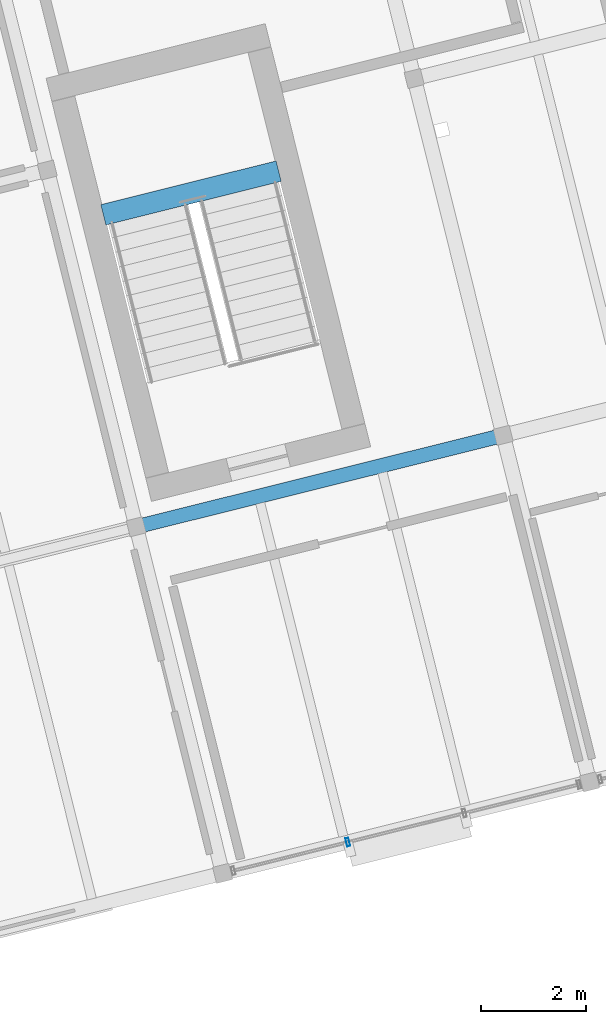
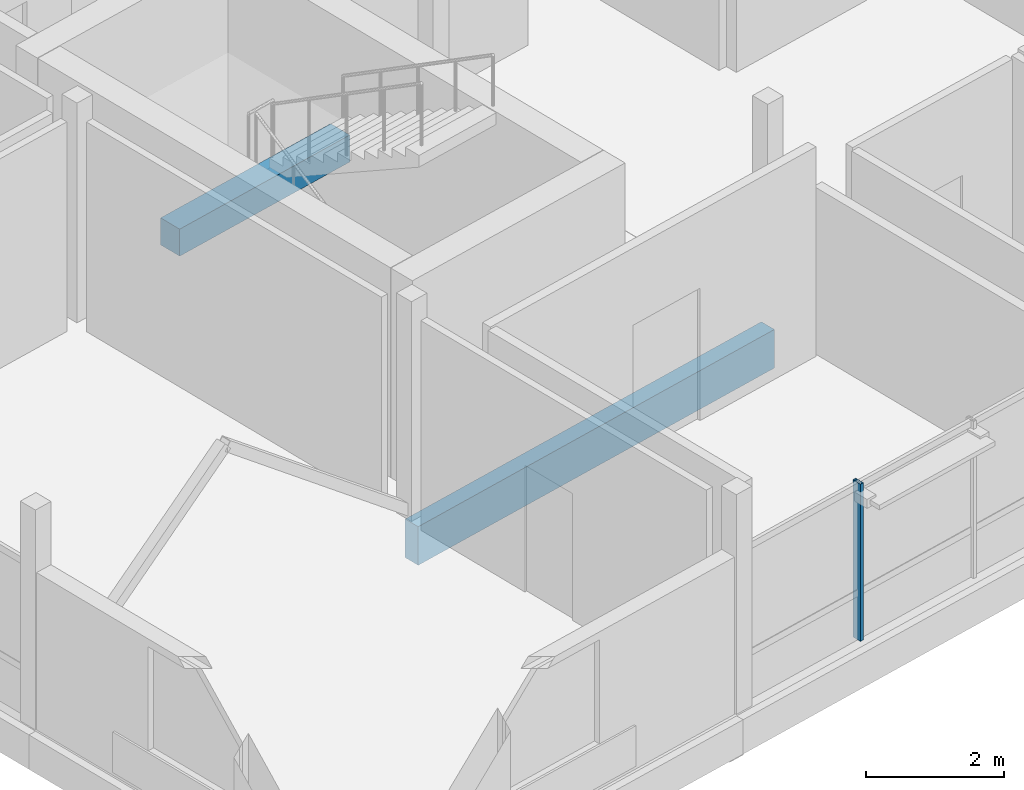
# One storey, part 5 of 25: 2 beams, 1 member, 1 element without a shape of its own.
"""IFC4 building model written with IfcOpenShell, lengths in metres."""

from ifc_helpers import new_model, si_unit, direction, frame, origin, origin_2d, place, context, subcontext, project, spatial, rectangle, hollow_rectangle, extrude, material, layer, layer_set, material_profile, profile_set, type_object, element, aggregate, save


model = new_model("IFC4")

# Units and contexts
model_context = context("Model", 3, precision=1e-05, world=origin(), true_north=direction((0.0, 1.0)))
body_context = subcontext(model_context, "Body", "Model", "MODEL_VIEW")
ifc_project = project(units=[si_unit("LENGTHUNIT", "METRE"), si_unit("AREAUNIT", "SQUARE_METRE"), si_unit("VOLUMEUNIT", "CUBIC_METRE"), si_unit("PLANEANGLEUNIT", "RADIAN"), si_unit("MASSUNIT", "GRAM", prefix="KILO")], contexts=[model_context])

# Site, building, storey
site_placement = place(None, origin())
site = spatial("IfcSite", under=ifc_project, at=site_placement, CompositionType="ELEMENT")
building_placement = place(site_placement, origin())
building = spatial("IfcBuilding", under=site, at=building_placement, Name="Meriwether Solvik Hall", CompositionType="ELEMENT")
storey_placement = place(building_placement, frame((0.0, 0.0, 49.5)))
storey = spatial("IfcBuildingStorey", under=building, at=storey_placement, Name="L12", CompositionType="ELEMENT", Elevation=49.5)

# Beams
ifc_material_1 = material(Name="Glulam Douglas-Fir 24F-V8 GL28h", Category="wood")
ifc_material_profile_1 = material_profile(ifc_material_1, rectangle(XDim=0.27294921875, YDim=0.68505859375, at=origin_2d()), Name="GLB-273X685")
ifc_profile_set_1 = profile_set([ifc_material_profile_1], Name="Glulam Douglas-Fir 24F-V8 GL28h")
beam_type_1 = type_object("IfcBeamType", Name="BM-GL-273X685", PredefinedType="BEAM", material=ifc_profile_set_1)
beam_1_placement = place(storey_placement, frame((74.3291015625, 49.63671875, -0.5224609375), z_axis=(0.970301855688, 0.241897310542, 0.0), x_axis=(-0.241897310542, 0.970301855688, 0.0)))
element("IfcBeam", 1, at=beam_1_placement, inside=storey, type_object=beam_type_1, Name="Tower Girder TB:T2-T3 (L12)", PredefinedType="BEAM", context=body_context, shape_type="SweptSolid", body=[
    extrude(rectangle(XDim=0.27294921875, YDim=0.68505859375, at=origin_2d()), origin(), (0.0, 0.0, 1.0), 7.2001953125),
])
ifc_material_2 = material(Name="Concrete C40/50", Category="concrete")
ifc_material_profile_2 = material_profile(ifc_material_2, rectangle(XDim=0.39990234375, YDim=0.47998046875, at=origin_2d()), Name="RCB-400X480")
ifc_profile_set_2 = profile_set([ifc_material_profile_2], Name="Concrete C40/50")
beam_type_2 = type_object("IfcBeamType", Name="BM-LND-RC-400X480", PredefinedType="BEAM", material=ifc_profile_set_2)
beam_2_placement = place(storey_placement, frame((73.70361328125, 55.57666015625, 1.510009765625), z_axis=(0.970288447449, 0.24195108751, 0.0), x_axis=(-0.24195108751, 0.970288447449, 0.0)))
element("IfcBeam", 2, at=beam_2_placement, inside=storey, type_object=beam_type_2, Name="Stair ST-01 Half-Landing Header Beam (L12)", PredefinedType="BEAM", context=body_context, shape_type="SweptSolid", body=[
    extrude(rectangle(XDim=0.39990234375, YDim=0.47998046875, at=origin_2d()), origin(), (0.0, 0.0, 1.0), 3.43994140625),
])

# Curtain wall, member
ifc_material_3 = material(Name="Thermally Broken Anodised Aluminium 6063-T6 and Low-E Glass", Category="aluminium")
ifc_layer = layer(ifc_material_3, 0.179931640625)
ifc_layer_set = layer_set([ifc_layer], Name="Thermally Broken Anodised Aluminium 6063-T6 and Low-E Glass")
curtain_wall_type = type_object("IfcCurtainWallType", Name="CW-UNIT-D", PredefinedType="USERDEFINED", material=ifc_layer_set)
curtain_wall_placement = place(storey_placement, origin())
curtain_wall = element("IfcCurtainWall", 3, at=curtain_wall_placement, inside=storey, type_object=curtain_wall_type, Name="Curtain Wall E0_B1 (L12)", ObjectType="UNITISED CURTAIN WALL", PredefinedType="USERDEFINED")
ifc_material_4 = material(Name="Anodised Aluminium 6063-T6", Category="aluminium")
ifc_material_profile_3 = material_profile(ifc_material_4, hollow_rectangle(XDim=0.06005859375, YDim=0.159912109375, WallThickness=0.00390625, at=origin_2d()), Name="CWM-60X160")
ifc_profile_set_3 = profile_set([ifc_material_profile_3], Name="Anodised Aluminium 6063-T6")
member_type = type_object("IfcMemberType", Name="CW-MUL-60X160", PredefinedType="MULLION", material=ifc_profile_set_3)
member_placement = place(storey_placement, frame((78.357666015625, 43.6328125, 0.0), z_axis=(0.0, 0.0, 1.0), x_axis=(-0.970295730764, -0.241921877598, 0.0)))
member = element("IfcMember", 4, at=member_placement, type_object=member_type, Name="Curtain Wall Mullion 3", PredefinedType="MULLION", context=body_context, shape_type="SweptSolid", body=[
    extrude(hollow_rectangle(XDim=0.06005859375, YDim=0.159912109375, WallThickness=0.00390625, at=origin_2d()), origin(), (0.0, 0.0, 1.0), 2.7900390625),
])
aggregate(curtain_wall, [member])

save(model, "model.ifc")
